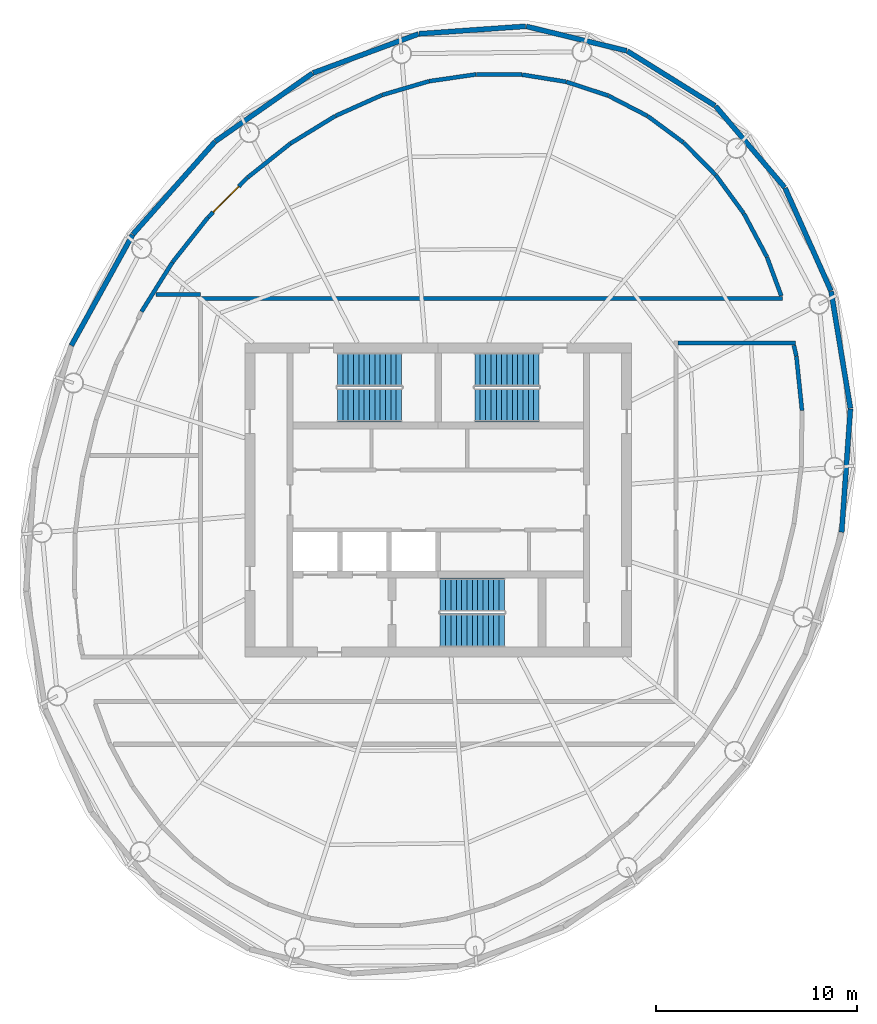
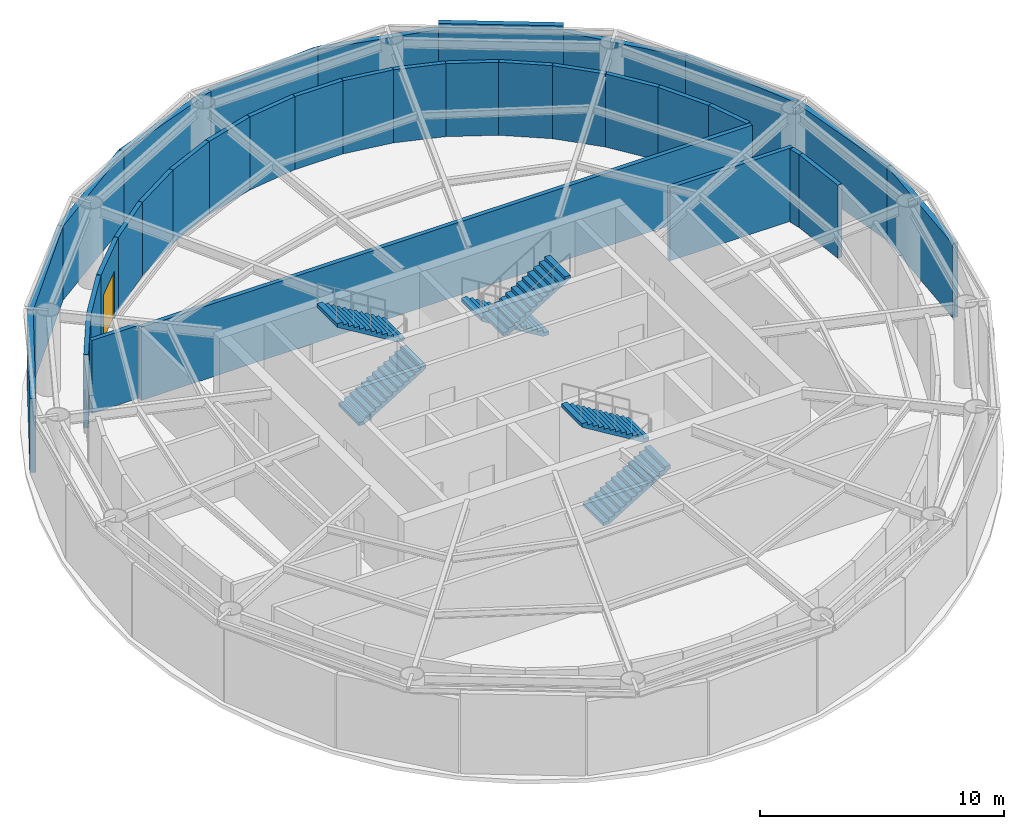
# One storey, part 5 of 6: 33 walls, 6 stair flights, 1 door, 1 opening, 3 elements without a shape of their own.
"""IFC4 building model written with IfcOpenShell, lengths in metres."""

from ifc_helpers import new_model, si_unit, direction, frame, frame_2d, origin, place, context, subcontext, project, spatial, polyline, rectangle, outline, extrude, material, layer, layer_set, type_object, element, fill, aggregate, save


model = new_model("IFC4")

# Units and contexts
model_context = context("Model", 3, precision=1e-05, world=origin(), true_north=direction((0.0, 1.0)))
body_context = subcontext(model_context, "Body", "Model", "MODEL_VIEW")
ifc_project = project(units=[si_unit("LENGTHUNIT", "METRE"), si_unit("AREAUNIT", "SQUARE_METRE"), si_unit("VOLUMEUNIT", "CUBIC_METRE"), si_unit("PLANEANGLEUNIT", "RADIAN"), si_unit("MASSUNIT", "GRAM", prefix="KILO")], contexts=[model_context])

# Site, building, storey
site_placement = place(None, origin())
site = spatial("IfcSite", under=ifc_project, at=site_placement, CompositionType="ELEMENT")
building_placement = place(site_placement, origin())
building = spatial("IfcBuilding", under=site, at=building_placement, Name="Vermilion Reach Broadcast Tower", CompositionType="ELEMENT")
storey_placement = place(building_placement, frame((0.0, 0.0, 308.699951171875)))
storey = spatial("IfcBuildingStorey", under=building, at=storey_placement, Name="L77 CROWN", CompositionType="ELEMENT", Elevation=308.699951171875)

# Walls
ifc_material_1 = material(Name="Anodised aluminium louvre cladding", Category="aluminium")
ifc_layer_1 = layer(ifc_material_1, 0.25)
ifc_layer_set_1 = layer_set([ifc_layer_1], Name="Plant louvre wall 250")
wall_type_1 = type_object("IfcWallType", Name="Plant louvre wall 250", PredefinedType="SOLIDWALL", material=ifc_layer_set_1)
wall_1_placement = place(storey_placement, frame((7.736572265625, 19.56982421875, 0.0), z_axis=(0.0, 0.0, 1.0), x_axis=(-0.84872546146, 0.528833708333, 0.0)))
element("IfcWall", 1, at=wall_1_placement, inside=storey, type_object=wall_type_1, Name="Louvre wall L77 CROWN 24", PredefinedType="SOLIDWALL", context=body_context, shape_type="SweptSolid", body=[
    extrude(rectangle(XDim=5.124755859375, YDim=0.25, at=frame_2d((2.5625, 0.0))), origin(), (0.0, 0.0, 1.0), 4.0),
])
ifc_material_2 = material(Name="Anodised aluminium louvre cladding", Category="aluminium")
ifc_layer_2 = layer(ifc_material_2, 0.25)
ifc_layer_set_2 = layer_set([ifc_layer_2], Name="Plant louvre wall 250, head 300 below soffit")
wall_type_2 = type_object("IfcWallType", Name="Plant louvre wall 250, head 300 below soffit", PredefinedType="SOLIDWALL", material=ifc_layer_set_2)
wall_2_placement = place(storey_placement, frame((3.350830078125, 22.29541015625, 0.0), z_axis=(0.0, 0.0, 1.0), x_axis=(-0.971672333914, 0.236332129654, 0.0)))
element("IfcWall", 2, at=wall_2_placement, inside=storey, type_object=wall_type_2, Name="Louvre wall L77 CROWN 01", PredefinedType="SOLIDWALL", context=body_context, shape_type="SweptSolid", body=[
    extrude(rectangle(XDim=5.125, YDim=0.25, at=frame_2d((2.5625, 0.0))), origin(), (0.0, 0.0, 1.0), 3.699951171875),
])
wall_3_placement = place(storey_placement, frame((-1.666748046875, 23.509765625, 0.0), z_axis=(0.0, 0.0, 1.0), x_axis=(-0.997541335578, -0.070080552324, 0.0)))
element("IfcWall", 3, at=wall_3_placement, inside=storey, type_object=wall_type_2, Name="Louvre wall L77 CROWN 02", PredefinedType="SOLIDWALL", context=body_context, shape_type="SweptSolid", body=[
    extrude(rectangle(XDim=5.295166015625, YDim=0.25, at=frame_2d((2.6474609375, 0.0))), origin(), (0.0, 0.0, 1.0), 3.699951171875),
])
wall_4_placement = place(storey_placement, frame((-6.983154296875, 23.13134765625, 0.0), z_axis=(0.0, 0.0, 1.0), x_axis=(-0.937764073403, -0.34727300879, 0.0)))
element("IfcWall", 4, at=wall_4_placement, inside=storey, type_object=wall_type_2, Name="Louvre wall L77 CROWN 03", PredefinedType="SOLIDWALL", context=body_context, shape_type="SweptSolid", body=[
    extrude(rectangle(XDim=5.5771484375, YDim=0.25, at=frame_2d((2.78857421875, 0.0))), origin(), (0.0, 0.0, 1.0), 3.699951171875),
])
wall_5_placement = place(storey_placement, frame((-12.2412109375, 21.1796875, 0.0), z_axis=(0.0, 0.0, 1.0), x_axis=(-0.818761962214, -0.574133128492, 0.0)))
element("IfcWall", 5, at=wall_5_placement, inside=storey, type_object=wall_type_2, Name="Louvre wall L77 CROWN 04", PredefinedType="SOLIDWALL", context=body_context, shape_type="SweptSolid", body=[
    extrude(rectangle(XDim=5.88525390625, YDim=0.25, at=frame_2d((2.942626953125, 0.0))), origin(), (0.0, 0.0, 1.0), 3.699951171875),
])
wall_6_placement = place(storey_placement, frame((-17.081298828125, 17.781494140625, 0.0), z_axis=(0.0, 0.0, 1.0), x_axis=(-0.663232601491, -0.748413332537, 0.0)))
element("IfcWall", 6, at=wall_6_placement, inside=storey, type_object=wall_type_2, Name="Louvre wall L77 CROWN 05", PredefinedType="SOLIDWALL", context=body_context, shape_type="SweptSolid", body=[
    extrude(rectangle(XDim=6.139404296875, YDim=0.25, at=frame_2d((3.06982421875, 0.0))), origin(), (0.0, 0.0, 1.0), 3.699951171875),
])
wall_7_placement = place(storey_placement, frame((-21.168701171875, 13.164794921875, 0.0), z_axis=(0.0, 0.0, 1.0), x_axis=(-0.484124074201, -0.874999360445, 0.0)))
element("IfcWall", 7, at=wall_7_placement, inside=storey, type_object=wall_type_2, Name="Louvre wall L77 CROWN 06", PredefinedType="SOLIDWALL", context=body_context, shape_type="SweptSolid", body=[
    extrude(rectangle(XDim=6.281005859375, YDim=0.25, at=frame_2d((3.140625, 0.0))), origin(), (0.0, 0.0, 1.0), 3.699951171875),
])
wall_8_placement = place(storey_placement, frame((14.023681640625, -1.60009765625, 0.0), z_axis=(0.0, 0.0, 1.0), x_axis=(0.07066487406, 0.99750011307, 0.0)))
element("IfcWall", 8, at=wall_8_placement, inside=storey, type_object=wall_type_2, Name="Louvre wall L77 CROWN 20", PredefinedType="SOLIDWALL", context=body_context, shape_type="SweptSolid", body=[
    extrude(rectangle(XDim=6.139404296875, YDim=0.25, at=frame_2d((3.06982421875, 0.0))), origin(), (0.0, 0.0, 1.0), 3.699951171875),
])
wall_9_placement = place(storey_placement, frame((14.4560546875, 4.552734375, 0.0), z_axis=(0.0, 0.0, 1.0), x_axis=(-0.162616041589, 0.986689425816, 0.0)))
element("IfcWall", 9, at=wall_9_placement, inside=storey, type_object=wall_type_2, Name="Louvre wall L77 CROWN 21", PredefinedType="SOLIDWALL", context=body_context, shape_type="SweptSolid", body=[
    extrude(rectangle(XDim=5.88525390625, YDim=0.25, at=frame_2d((2.942626953125, 0.0))), origin(), (0.0, 0.0, 1.0), 3.699951171875),
])
wall_10_placement = place(storey_placement, frame((13.489990234375, 10.389892578125, 0.0), z_axis=(0.0, 0.0, 1.0), x_axis=(-0.407989751163, 0.912986507538, 0.0)))
element("IfcWall", 10, at=wall_10_placement, inside=storey, type_object=wall_type_2, Name="Louvre wall L77 CROWN 22", PredefinedType="SOLIDWALL", context=body_context, shape_type="SweptSolid", body=[
    extrude(rectangle(XDim=5.5771484375, YDim=0.25, at=frame_2d((2.78857421875, 0.0))), origin(), (0.0, 0.0, 1.0), 3.699951171875),
])
wall_11_placement = place(storey_placement, frame((11.196044921875, 15.511474609375, 0.0), z_axis=(0.0, 0.0, 1.0), x_axis=(-0.647893308308, 0.761731094973, 0.0)))
element("IfcWall", 11, at=wall_11_placement, inside=storey, type_object=wall_type_2, Name="Louvre wall L77 CROWN 23", PredefinedType="SOLIDWALL", context=body_context, shape_type="SweptSolid", body=[
    extrude(rectangle(XDim=5.295166015625, YDim=0.25, at=frame_2d((2.6474609375, 0.0))), origin(), (0.0, 0.0, 1.0), 3.699951171875),
])
ifc_material_3 = material(Name="Gypsum board shaft wall")
ifc_layer_3 = layer(ifc_material_3, 0.199951171875)
ifc_layer_set_3 = layer_set([ifc_layer_3], Name="Plant room wall 200")
wall_type_3 = type_object("IfcWallType", Name="Plant room wall 200", PredefinedType="PARTITIONING", material=ifc_layer_set_3)
wall_12_placement = place(storey_placement, frame((-17.790283203125, 10.0, 0.0), z_axis=(0.0, 0.0, 1.0), x_axis=(1.0, 0.0, 0.0)))
element("IfcWall", 12, at=wall_12_placement, inside=storey, type_object=wall_type_3, Name="sp.wall.L77 CROWN.001", PredefinedType="PARTITIONING", context=body_context, shape_type="SweptSolid", body=[
    extrude(rectangle(XDim=28.866455078125, YDim=0.199951171875, at=frame_2d((14.43310546875, 0.0))), origin(), (0.0, 0.0, 1.0), 3.650146484375),
])
wall_13_placement = place(storey_placement, frame((5.89990234375, 7.800048828125, 0.0), z_axis=(0.0, 0.0, 1.0), x_axis=(1.0, 0.0, 0.0)))
element("IfcWall", 13, at=wall_13_placement, inside=storey, type_object=wall_type_3, Name="sp.wall.L77 CROWN.004", PredefinedType="PARTITIONING", context=body_context, shape_type="SweptSolid", body=[
    extrude(rectangle(XDim=5.82373046875, YDim=0.199951171875, at=frame_2d((2.911865234375, 0.0))), origin(), (0.0, 0.0, 1.0), 3.650146484375),
])
wall_14_placement = place(storey_placement, frame((-20.01318359375, 10.199951171875, 0.0), z_axis=(0.0, 0.0, 1.0), x_axis=(1.0, 0.0, 0.0)))
element("IfcWall", 14, at=wall_14_placement, inside=storey, type_object=wall_type_3, Name="sp.wall.L77 CROWN.012", PredefinedType="PARTITIONING", context=body_context, shape_type="SweptSolid", body=[
    extrude(rectangle(XDim=2.22314453125, YDim=0.199951171875, at=frame_2d((1.111572265625, 0.0))), origin(), (0.0, 0.0, 1.0), 3.650146484375),
])
wall_15_placement = place(storey_placement, frame((-20.724609375, 9.352294921875, 0.0), z_axis=(0.0, 0.0, 1.0), x_axis=(0.530761457751, 0.847521253401, 0.0)))
element("IfcWall", 15, at=wall_15_placement, inside=storey, type_object=wall_type_3, Name="sp.wall.L77 CROWN.015", PredefinedType="PARTITIONING", context=body_context, shape_type="SweptSolid", body=[
    extrude(rectangle(XDim=2.877197265625, YDim=0.199951171875, at=frame_2d((1.4384765625, 0.0))), origin(), (0.0, 0.0, 1.0), 3.650146484375),
])
wall_16_placement = place(storey_placement, frame((-19.190673828125, 11.79931640625, 0.0), z_axis=(0.0, 0.0, 1.0), x_axis=(0.620327979869, 0.784342525553, 0.0)))
element("IfcWall", 16, at=wall_16_placement, inside=storey, type_object=wall_type_3, Name="sp.wall.L77 CROWN.016", PredefinedType="PARTITIONING", context=body_context, shape_type="SweptSolid", body=[
    extrude(rectangle(XDim=2.835693359375, YDim=0.199951171875, at=frame_2d((1.41796875, 0.0))), origin(), (0.0, 0.0, 1.0), 3.650146484375),
])

# Wall, opening, door
wall_17_placement = place(storey_placement, frame((-15.467529296875, 16.0009765625, 0.0), z_axis=(0.0, 0.0, 1.0), x_axis=(-0.704683921548, -0.70952136734, 0.0)))
wall_17 = element("IfcWall", 17, at=wall_17_placement, inside=storey, type_object=wall_type_3, Name="sp.wall.L77 CROWN.017", PredefinedType="PARTITIONING", context=body_context, shape_type="SweptSolid", body=[
    extrude(rectangle(XDim=2.77587890625, YDim=0.199951171875, at=frame_2d((1.387939453125, 0.0))), origin(), (0.0, 0.0, 1.0), 3.650146484375),
])
opening_placement = place(wall_17_placement, frame((0.6171875, 0.0, 0.0)))
opening = element("IfcOpeningElement", 18, at=opening_placement, cuts=wall_17, Name="Opening D53", PredefinedType="OPENING", context=body_context, shape_type="SweptSolid", body=[
    extrude(rectangle(XDim=1.800048828125, YDim=2.39990234375, at=frame_2d((0.89990234375, 1.199951171875))), frame((0.0, 0.10986328125, 0.0), z_axis=(0.0, -1.0, 0.0), x_axis=(1.0, 0.0, 0.0)), (0.0, 0.0, 1.0), 0.219970703125),
])
ifc_material_4 = material(Name="Timber and steel door set", Category="steel")
door_type = type_object("IfcDoorType", Name="Plant double door 1800x2400", OperationType="NOTDEFINED", PredefinedType="DOOR", material=ifc_material_4)
door_placement = place(opening_placement, origin())
door = element("IfcDoor", 19, at=door_placement, inside=storey, type_object=door_type, Name="sp.door.L77 CROWN.002", OperationType="DOUBLE_DOOR_SINGLE_SWING", OverallHeight=2.39990234375, OverallWidth=1.800048828125, PredefinedType="DOOR", context=body_context, shape_type="SweptSolid", body=[
    extrude(rectangle(XDim=1.800048828125, YDim=2.39990234375, at=frame_2d((0.89990234375, 1.199951171875))), frame((0.0, 0.02490234375, 0.0), z_axis=(0.0, -1.0, 0.0), x_axis=(1.0, 0.0, 0.0)), (0.0, 0.0, 1.0), 0.050048828125),
])
fill(opening, door)

# Walls
wall_18_placement = place(storey_placement, frame((-15.458251953125, 16.00830078125, 0.0), z_axis=(0.0, 0.0, 1.0), x_axis=(0.782656107767, 0.62245434931, 0.0)))
element("IfcWall", 20, at=wall_18_placement, inside=storey, type_object=wall_type_3, Name="sp.wall.L77 CROWN.018", PredefinedType="PARTITIONING", context=body_context, shape_type="SweptSolid", body=[
    extrude(rectangle(XDim=2.700439453125, YDim=0.199951171875, at=frame_2d((1.35009765625, 0.0))), origin(), (0.0, 0.0, 1.0), 3.650146484375),
])
wall_19_placement = place(storey_placement, frame((-13.334228515625, 17.69580078125, 0.0), z_axis=(0.0, 0.0, 1.0), x_axis=(0.852667029926, 0.522454721557, 0.0)))
element("IfcWall", 21, at=wall_19_placement, inside=storey, type_object=wall_type_3, Name="sp.wall.L77 CROWN.019", PredefinedType="PARTITIONING", context=body_context, shape_type="SweptSolid", body=[
    extrude(rectangle(XDim=2.613525390625, YDim=0.199951171875, at=frame_2d((1.306640625, 0.0))), origin(), (0.0, 0.0, 1.0), 3.650146484375),
])
wall_20_placement = place(storey_placement, frame((-11.093994140625, 19.066650390625, 0.0), z_axis=(0.0, 0.0, 1.0), x_axis=(0.912552955942, 0.408958558538, 0.0)))
element("IfcWall", 22, at=wall_20_placement, inside=storey, type_object=wall_type_3, Name="sp.wall.L77 CROWN.020", PredefinedType="PARTITIONING", context=body_context, shape_type="SweptSolid", body=[
    extrude(rectangle(XDim=2.5205078125, YDim=0.199951171875, at=frame_2d((1.26025390625, 0.0))), origin(), (0.0, 0.0, 1.0), 3.650146484375),
])
wall_21_placement = place(storey_placement, frame((-8.781005859375, 20.101318359375, 0.0), z_axis=(0.0, 0.0, 1.0), x_axis=(0.95934146389, 0.28224803925, 0.0)))
element("IfcWall", 23, at=wall_21_placement, inside=storey, type_object=wall_type_3, Name="sp.wall.L77 CROWN.021", PredefinedType="PARTITIONING", context=body_context, shape_type="SweptSolid", body=[
    extrude(rectangle(XDim=2.42626953125, YDim=0.199951171875, at=frame_2d((1.213134765625, 0.0))), origin(), (0.0, 0.0, 1.0), 3.650146484375),
])
wall_22_placement = place(storey_placement, frame((-6.439208984375, 20.7880859375, 0.0), z_axis=(0.0, 0.0, 1.0), x_axis=(0.989671979467, 0.143350525141, 0.0)))
element("IfcWall", 24, at=wall_22_placement, inside=storey, type_object=wall_type_3, Name="sp.wall.L77 CROWN.022", PredefinedType="PARTITIONING", context=body_context, shape_type="SweptSolid", body=[
    extrude(rectangle(XDim=2.33837890625, YDim=0.199951171875, at=frame_2d((1.169189453125, 0.0))), origin(), (0.0, 0.0, 1.0), 3.650146484375),
])
wall_23_placement = place(storey_placement, frame((-4.110107421875, 21.123046875, 0.0), z_axis=(0.0, 0.0, 1.0), x_axis=(0.999986603133, -0.005176248997, 0.0)))
element("IfcWall", 25, at=wall_23_placement, inside=storey, type_object=wall_type_3, Name="sp.wall.L77 CROWN.023", PredefinedType="PARTITIONING", context=body_context, shape_type="SweptSolid", body=[
    extrude(rectangle(XDim=2.263916015625, YDim=0.199951171875, at=frame_2d((1.1318359375, 0.0))), origin(), (0.0, 0.0, 1.0), 3.650146484375),
])
wall_24_placement = place(storey_placement, frame((-1.830810546875, 21.10888671875, 0.0), z_axis=(0.0, 0.0, 1.0), x_axis=(0.987257926423, -0.159128208423, 0.0)))
element("IfcWall", 26, at=wall_24_placement, inside=storey, type_object=wall_type_3, Name="sp.wall.L77 CROWN.024", PredefinedType="PARTITIONING", context=body_context, shape_type="SweptSolid", body=[
    extrude(rectangle(XDim=2.209228515625, YDim=0.199951171875, at=frame_2d((1.1044921875, 0.0))), origin(), (0.0, 0.0, 1.0), 3.650146484375),
])
wall_25_placement = place(storey_placement, frame((0.365478515625, 20.752197265625, 0.0), z_axis=(0.0, 0.0, 1.0), x_axis=(0.949852302688, -0.312698901627, 0.0)))
element("IfcWall", 27, at=wall_25_placement, inside=storey, type_object=wall_type_3, Name="sp.wall.L77 CROWN.025", PredefinedType="PARTITIONING", context=body_context, shape_type="SweptSolid", body=[
    extrude(rectangle(XDim=2.1806640625, YDim=0.199951171875, at=frame_2d((1.09033203125, 0.0))), origin(), (0.0, 0.0, 1.0), 3.650146484375),
])
wall_26_placement = place(storey_placement, frame((2.450927734375, 20.062744140625, 0.0), z_axis=(0.0, 0.0, 1.0), x_axis=(0.888068415533, -0.45971131086, 0.0)))
element("IfcWall", 28, at=wall_26_placement, inside=storey, type_object=wall_type_3, Name="sp.wall.L77 CROWN.026", PredefinedType="PARTITIONING", context=body_context, shape_type="SweptSolid", body=[
    extrude(rectangle(XDim=2.16455078125, YDim=0.199951171875, at=frame_2d((1.082275390625, 0.0))), origin(), (0.0, 0.0, 1.0), 3.650146484375),
])
wall_27_placement = place(storey_placement, frame((4.387451171875, 19.060302734375, 0.0), z_axis=(0.0, 0.0, 1.0), x_axis=(0.80443326696, -0.594043027909, 0.0)))
element("IfcWall", 29, at=wall_27_placement, inside=storey, type_object=wall_type_3, Name="sp.wall.L77 CROWN.027", PredefinedType="PARTITIONING", context=body_context, shape_type="SweptSolid", body=[
    extrude(rectangle(XDim=2.20947265625, YDim=0.199951171875, at=frame_2d((1.104736328125, 0.0))), origin(), (0.0, 0.0, 1.0), 3.650146484375),
])
wall_28_placement = place(storey_placement, frame((6.17724609375, 17.738525390625, 0.0), z_axis=(0.0, 0.0, 1.0), x_axis=(0.703376280453, -0.710817703843, 0.0)))
element("IfcWall", 30, at=wall_28_placement, inside=storey, type_object=wall_type_3, Name="sp.wall.L77 CROWN.028", PredefinedType="PARTITIONING", context=body_context, shape_type="SweptSolid", body=[
    extrude(rectangle(XDim=2.263671875, YDim=0.199951171875, at=frame_2d((1.1318359375, 0.0))), origin(), (0.0, 0.0, 1.0), 3.650146484375),
])
wall_29_placement = place(storey_placement, frame((7.780029296875, 16.11865234375, 0.0), z_axis=(0.0, 0.0, 1.0), x_axis=(0.590082027637, -0.807343297897, 0.0)))
element("IfcWall", 31, at=wall_29_placement, inside=storey, type_object=wall_type_3, Name="sp.wall.L77 CROWN.029", PredefinedType="PARTITIONING", context=body_context, shape_type="SweptSolid", body=[
    extrude(rectangle(XDim=2.33837890625, YDim=0.199951171875, at=frame_2d((1.169189453125, 0.0))), origin(), (0.0, 0.0, 1.0), 3.650146484375),
])
wall_30_placement = place(storey_placement, frame((9.168212890625, 14.21923828125, 0.0), z_axis=(0.0, 0.0, 1.0), x_axis=(0.469606334902, -0.882875920059, 0.0)))
element("IfcWall", 32, at=wall_30_placement, inside=storey, type_object=wall_type_3, Name="sp.wall.L77 CROWN.030", PredefinedType="PARTITIONING", context=body_context, shape_type="SweptSolid", body=[
    extrude(rectangle(XDim=2.439697265625, YDim=0.199951171875, at=frame_2d((1.2197265625, 0.0))), origin(), (0.0, 0.0, 1.0), 3.650146484375),
])
wall_31_placement = place(storey_placement, frame((10.318603515625, 12.052490234375, 0.0), z_axis=(0.0, 0.0, 1.0), x_axis=(0.346197844841, -0.938161527791, 0.0)))
element("IfcWall", 33, at=wall_31_placement, inside=storey, type_object=wall_type_3, Name="sp.wall.L77 CROWN.031", PredefinedType="PARTITIONING", context=body_context, shape_type="SweptSolid", body=[
    extrude(rectangle(XDim=2.04443359375, YDim=0.199951171875, at=frame_2d((1.022216796875, 0.0))), origin(), (0.0, 0.0, 1.0), 3.650146484375),
])
wall_32_placement = place(storey_placement, frame((11.651611328125, 7.677734375, 0.0), z_axis=(0.0, 0.0, 1.0), x_axis=(0.2234024776, -0.974726286196, 0.0)))
element("IfcWall", 34, at=wall_32_placement, inside=storey, type_object=wall_type_3, Name="sp.wall.L77 CROWN.055", PredefinedType="PARTITIONING", context=body_context, shape_type="SweptSolid", body=[
    extrude(rectangle(XDim=0.55078125, YDim=0.199951171875, at=frame_2d((0.275390625, 0.0))), origin(), (0.0, 0.0, 1.0), 3.650146484375),
])
wall_33_placement = place(storey_placement, frame((11.77734375, 7.12890625, 0.0), z_axis=(0.0, 0.0, 1.0), x_axis=(0.102877560919, -0.994694027055, 0.0)))
element("IfcWall", 35, at=wall_33_placement, inside=storey, type_object=wall_type_3, Name="sp.wall.L77 CROWN.056", PredefinedType="PARTITIONING", context=body_context, shape_type="SweptSolid", body=[
    extrude(rectangle(XDim=2.70068359375, YDim=0.199951171875, at=frame_2d((1.350341796875, 0.0))), origin(), (0.0, 0.0, 1.0), 3.650146484375),
])

# Stair, stair flights
ifc_material_5 = material(Name="Concrete C40", Category="concrete")
stair_type = type_object("IfcStairType", Name="Exit stair RC 26 risers 162 mm", PredefinedType="HALF_TURN_STAIR", material=ifc_material_5)
placement = place(storey_placement, origin())
stair_1 = element("IfcStair", 36, at=placement, inside=storey, type_object=stair_type, Name="L77 CROWN Exit stair ST1", PredefinedType="HALF_TURN_STAIR")
ifc_material_6 = material(Name="Concrete C40", Category="concrete")
stair_flight_type = type_object("IfcStairFlightType", Name="Exit stair flight RC 13 risers", PredefinedType="STRAIGHT", material=ifc_material_6)
stair_flight_1_placement = place(storey_placement, frame((-11.0, 4.7099609375, 0.0), z_axis=(0.0, 0.0, 1.0), x_axis=(1.0, 0.0, 0.0)))
stair_flight_1 = element("IfcStairFlight", 37, at=stair_flight_1_placement, type_object=stair_flight_type, Name="ST1 flight 1", NumberOfRisers=13, NumberOfTreads=12, PredefinedType="STRAIGHT", RiserHeight=0.161538462, TreadLength=0.265, context=body_context, shape_type="SweptSolid", body=[
    extrude(outline(polyline([(0.0, 0.0), (0.0, 0.16162109375), (0.264892578125, 0.16162109375), (0.264892578125, 0.322998046875), (0.530029296875, 0.322998046875), (0.530029296875, 0.484619140625), (0.794921875, 0.484619140625), (0.794921875, 0.646240234375), (1.06005859375, 0.646240234375), (1.06005859375, 0.8076171875), (1.324951171875, 0.8076171875), (1.324951171875, 0.96923828125), (1.590087890625, 0.96923828125), (1.590087890625, 1.130859375), (1.85498046875, 1.130859375), (1.85498046875, 1.292236328125), (2.1201171875, 1.292236328125), (2.1201171875, 1.453857421875), (2.385009765625, 1.453857421875), (2.385009765625, 1.615478515625), (2.64990234375, 1.615478515625), (2.64990234375, 1.77685546875), (2.9150390625, 1.77685546875), (2.9150390625, 1.9384765625), (3.179931640625, 1.9384765625), (3.179931640625, 2.10009765625), (3.179931640625, 1.762939453125), (0.2880859375, 0.0), (0.0, 0.0)])), frame((0.0, 0.830078125, 0.0), z_axis=(0.0, -1.0, 0.0), x_axis=(1.0, 0.0, 0.0)), (0.0, 0.0, 1.0), 1.659912109375),
])
stair_flight_2_placement = place(storey_placement, frame((-7.820068359375, 6.469970703125, 2.10009765625), z_axis=(0.0, 0.0, 1.0), x_axis=(-1.0, 0.0, 0.0)))
stair_flight_2 = element("IfcStairFlight", 38, at=stair_flight_2_placement, type_object=stair_flight_type, Name="ST1 flight 2", NumberOfRisers=13, NumberOfTreads=12, PredefinedType="STRAIGHT", RiserHeight=0.161538462, TreadLength=0.265, context=body_context, shape_type="SweptSolid", body=[
    extrude(outline(polyline([(0.0, 0.0), (0.0, 0.16162109375), (0.264892578125, 0.16162109375), (0.264892578125, 0.322998046875), (0.530029296875, 0.322998046875), (0.530029296875, 0.484619140625), (0.794921875, 0.484619140625), (0.794921875, 0.646240234375), (1.06005859375, 0.646240234375), (1.06005859375, 0.8076171875), (1.324951171875, 0.8076171875), (1.324951171875, 0.96923828125), (1.590087890625, 0.96923828125), (1.590087890625, 1.130859375), (1.85498046875, 1.130859375), (1.85498046875, 1.292236328125), (2.1201171875, 1.292236328125), (2.1201171875, 1.453857421875), (2.385009765625, 1.453857421875), (2.385009765625, 1.615478515625), (2.64990234375, 1.615478515625), (2.64990234375, 1.77685546875), (2.9150390625, 1.77685546875), (2.9150390625, 1.9384765625), (3.179931640625, 1.9384765625), (3.179931640625, 2.10009765625), (3.179931640625, 1.762939453125), (0.2880859375, 0.0), (0.0, 0.0)])), frame((0.0, 0.830078125, 0.0), z_axis=(0.0, -1.0, 0.0), x_axis=(1.0, 0.0, 0.0)), (0.0, 0.0, 1.0), 1.659912109375),
])
aggregate(stair_1, [stair_flight_1, stair_flight_2])

stair_2 = element("IfcStair", 39, at=placement, inside=storey, type_object=stair_type, Name="L77 CROWN Exit stair ST2", PredefinedType="HALF_TURN_STAIR")
stair_flight_3_placement = place(storey_placement, frame((-1.0, 6.469970703125, 0.0), z_axis=(0.0, 0.0, 1.0), x_axis=(-1.0, 0.0, 0.0)))
stair_flight_3 = element("IfcStairFlight", 40, at=stair_flight_3_placement, type_object=stair_flight_type, Name="ST2 flight 1", NumberOfRisers=13, NumberOfTreads=12, PredefinedType="STRAIGHT", RiserHeight=0.161538462, TreadLength=0.265, context=body_context, shape_type="SweptSolid", body=[
    extrude(outline(polyline([(0.0, 0.0), (0.0, 0.16162109375), (0.264892578125, 0.16162109375), (0.264892578125, 0.322998046875), (0.530029296875, 0.322998046875), (0.530029296875, 0.484619140625), (0.794921875, 0.484619140625), (0.794921875, 0.646240234375), (1.06005859375, 0.646240234375), (1.06005859375, 0.8076171875), (1.324951171875, 0.8076171875), (1.324951171875, 0.96923828125), (1.590087890625, 0.96923828125), (1.590087890625, 1.130859375), (1.85498046875, 1.130859375), (1.85498046875, 1.292236328125), (2.1201171875, 1.292236328125), (2.1201171875, 1.453857421875), (2.385009765625, 1.453857421875), (2.385009765625, 1.615478515625), (2.64990234375, 1.615478515625), (2.64990234375, 1.77685546875), (2.9150390625, 1.77685546875), (2.9150390625, 1.9384765625), (3.179931640625, 1.9384765625), (3.179931640625, 2.10009765625), (3.179931640625, 1.762939453125), (0.2880859375, 0.0), (0.0, 0.0)])), frame((0.0, 0.830078125, 0.0), z_axis=(0.0, -1.0, 0.0), x_axis=(1.0, 0.0, 0.0)), (0.0, 0.0, 1.0), 1.659912109375),
])
stair_flight_4_placement = place(storey_placement, frame((-4.179931640625, 4.7099609375, 2.10009765625), z_axis=(0.0, 0.0, 1.0), x_axis=(1.0, 0.0, 0.0)))
stair_flight_4 = element("IfcStairFlight", 41, at=stair_flight_4_placement, type_object=stair_flight_type, Name="ST2 flight 2", NumberOfRisers=13, NumberOfTreads=12, PredefinedType="STRAIGHT", RiserHeight=0.161538462, TreadLength=0.265, context=body_context, shape_type="SweptSolid", body=[
    extrude(outline(polyline([(0.0, 0.0), (0.0, 0.16162109375), (0.264892578125, 0.16162109375), (0.264892578125, 0.322998046875), (0.530029296875, 0.322998046875), (0.530029296875, 0.484619140625), (0.794921875, 0.484619140625), (0.794921875, 0.646240234375), (1.06005859375, 0.646240234375), (1.06005859375, 0.8076171875), (1.324951171875, 0.8076171875), (1.324951171875, 0.96923828125), (1.590087890625, 0.96923828125), (1.590087890625, 1.130859375), (1.85498046875, 1.130859375), (1.85498046875, 1.292236328125), (2.1201171875, 1.292236328125), (2.1201171875, 1.453857421875), (2.385009765625, 1.453857421875), (2.385009765625, 1.615478515625), (2.64990234375, 1.615478515625), (2.64990234375, 1.77685546875), (2.9150390625, 1.77685546875), (2.9150390625, 1.9384765625), (3.179931640625, 1.9384765625), (3.179931640625, 2.10009765625), (3.179931640625, 1.762939453125), (0.2880859375, 0.0), (0.0, 0.0)])), frame((0.0, 0.830078125, 0.0), z_axis=(0.0, -1.0, 0.0), x_axis=(1.0, 0.0, 0.0)), (0.0, 0.0, 1.0), 1.659912109375),
])
aggregate(stair_2, [stair_flight_3, stair_flight_4])

stair_3 = element("IfcStair", 42, at=placement, inside=storey, type_object=stair_type, Name="L77 CROWN Exit stair ST3", PredefinedType="HALF_TURN_STAIR")
stair_flight_5_placement = place(storey_placement, frame((-5.89990234375, -6.469970703125, 0.0), z_axis=(0.0, 0.0, 1.0), x_axis=(1.0, 0.0, 0.0)))
stair_flight_5 = element("IfcStairFlight", 43, at=stair_flight_5_placement, type_object=stair_flight_type, Name="ST3 flight 1", NumberOfRisers=13, NumberOfTreads=12, PredefinedType="STRAIGHT", RiserHeight=0.161538462, TreadLength=0.265, context=body_context, shape_type="SweptSolid", body=[
    extrude(outline(polyline([(0.0, 0.0), (0.0, 0.16162109375), (0.264892578125, 0.16162109375), (0.264892578125, 0.322998046875), (0.530029296875, 0.322998046875), (0.530029296875, 0.484619140625), (0.794921875, 0.484619140625), (0.794921875, 0.646240234375), (1.06005859375, 0.646240234375), (1.06005859375, 0.8076171875), (1.324951171875, 0.8076171875), (1.324951171875, 0.96923828125), (1.590087890625, 0.96923828125), (1.590087890625, 1.130859375), (1.85498046875, 1.130859375), (1.85498046875, 1.292236328125), (2.1201171875, 1.292236328125), (2.1201171875, 1.453857421875), (2.385009765625, 1.453857421875), (2.385009765625, 1.615478515625), (2.64990234375, 1.615478515625), (2.64990234375, 1.77685546875), (2.9150390625, 1.77685546875), (2.9150390625, 1.9384765625), (3.179931640625, 1.9384765625), (3.179931640625, 2.10009765625), (3.179931640625, 1.762939453125), (0.2880859375, 0.0), (0.0, 0.0)])), frame((0.0, 0.830078125, 0.0), z_axis=(0.0, -1.0, 0.0), x_axis=(1.0, 0.0, 0.0)), (0.0, 0.0, 1.0), 1.659912109375),
])
stair_flight_6_placement = place(storey_placement, frame((-2.719970703125, -4.7099609375, 2.10009765625), z_axis=(0.0, 0.0, 1.0), x_axis=(-1.0, 0.0, 0.0)))
stair_flight_6 = element("IfcStairFlight", 44, at=stair_flight_6_placement, type_object=stair_flight_type, Name="ST3 flight 2", NumberOfRisers=13, NumberOfTreads=12, PredefinedType="STRAIGHT", RiserHeight=0.161538462, TreadLength=0.265, context=body_context, shape_type="SweptSolid", body=[
    extrude(outline(polyline([(0.0, 0.0), (0.0, 0.16162109375), (0.264892578125, 0.16162109375), (0.264892578125, 0.322998046875), (0.530029296875, 0.322998046875), (0.530029296875, 0.484619140625), (0.794921875, 0.484619140625), (0.794921875, 0.646240234375), (1.06005859375, 0.646240234375), (1.06005859375, 0.8076171875), (1.324951171875, 0.8076171875), (1.324951171875, 0.96923828125), (1.590087890625, 0.96923828125), (1.590087890625, 1.130859375), (1.85498046875, 1.130859375), (1.85498046875, 1.292236328125), (2.1201171875, 1.292236328125), (2.1201171875, 1.453857421875), (2.385009765625, 1.453857421875), (2.385009765625, 1.615478515625), (2.64990234375, 1.615478515625), (2.64990234375, 1.77685546875), (2.9150390625, 1.77685546875), (2.9150390625, 1.9384765625), (3.179931640625, 1.9384765625), (3.179931640625, 2.10009765625), (3.179931640625, 1.762939453125), (0.2880859375, 0.0), (0.0, 0.0)])), frame((0.0, 0.830078125, 0.0), z_axis=(0.0, -1.0, 0.0), x_axis=(1.0, 0.0, 0.0)), (0.0, 0.0, 1.0), 1.659912109375),
])
aggregate(stair_3, [stair_flight_5, stair_flight_6])

save(model, "model.ifc")
